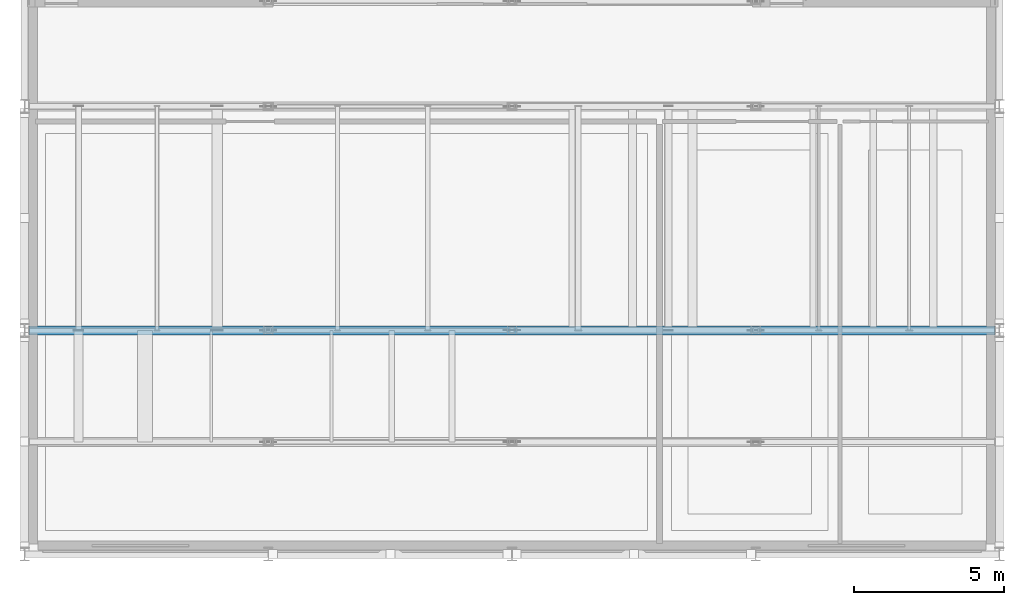
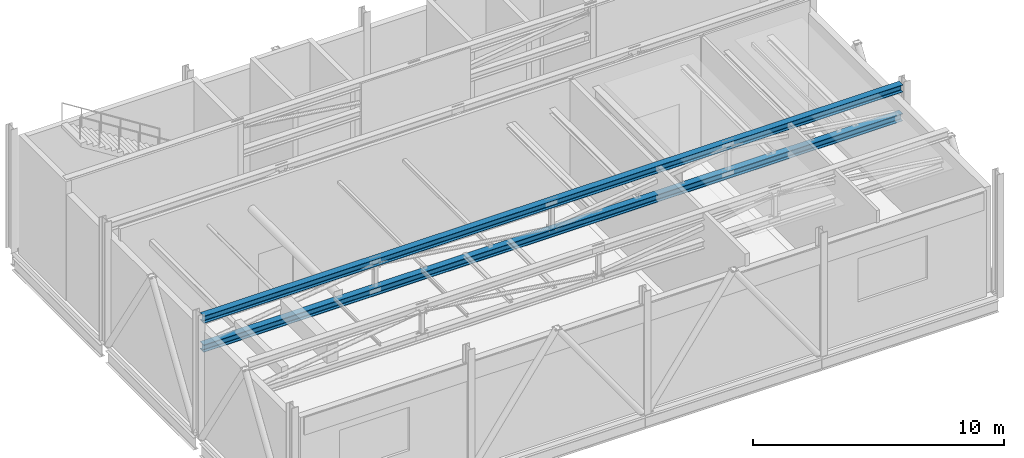
# One storey, part 5 of 21: 2 members.
"""IFC4 building model written with IfcOpenShell, lengths in metres."""

from ifc_helpers import new_model, si_unit, direction, frame, origin, origin_2d, place, context, subcontext, project, spatial, i_section, extrude, material, material_profile, profile_set, type_object, element, save


model = new_model("IFC4")

# Units and contexts
model_context = context("Model", 3, precision=1e-05, world=origin(), true_north=direction((0.0, 1.0)))
body_context = subcontext(model_context, "Body", "Model", "MODEL_VIEW")
ifc_project = project(units=[si_unit("LENGTHUNIT", "METRE"), si_unit("AREAUNIT", "SQUARE_METRE"), si_unit("VOLUMEUNIT", "CUBIC_METRE"), si_unit("PLANEANGLEUNIT", "RADIAN"), si_unit("MASSUNIT", "GRAM", prefix="KILO")], contexts=[model_context])

# Site, building, storey
site_placement = place(None, origin())
site = spatial("IfcSite", under=ifc_project, at=site_placement, CompositionType="ELEMENT")
building_placement = place(site_placement, origin())
building = spatial("IfcBuilding", under=site, at=building_placement, Name="Kaelora Sail Theatre", CompositionType="ELEMENT")
storey_placement = place(building_placement, frame((0.0, 0.0, 27.60009765625)))
storey = spatial("IfcBuildingStorey", under=building, at=storey_placement, Name="L06", CompositionType="ELEMENT", Elevation=27.60009765625)

# Members
ifc_material_1 = material(Name="Steel S355", Category="steel")
ifc_material_profile_1 = material_profile(ifc_material_1, i_section(OverallWidth=0.300048828125, OverallDepth=0.35009765625, WebThickness=0.010009765625, FlangeThickness=0.017578125, FilletRadius=0.027099609375, at=origin_2d()), Name="HEA 360")
ifc_profile_set_1 = profile_set([ifc_material_profile_1], Name="Steel S355")
member_type_1 = type_object("IfcMemberType", Name="STR-MEM-CH-HEA360", PredefinedType="CHORD", material=ifc_profile_set_1)
member_1_placement = place(storey_placement, frame((25.949951171875, 68.4599609375, 5.64990234375), z_axis=(1.0, 0.0, 0.0), x_axis=(0.0, 1.0, 0.0)))
element("IfcMember", 1, at=member_1_placement, inside=storey, type_object=member_type_1, Name="Fly Tower truss 2 top chord", PredefinedType="CHORD", context=body_context, shape_type="SweptSolid", body=[
    extrude(i_section(OverallWidth=0.300048828125, OverallDepth=0.35009765625, WebThickness=0.010009765625, FlangeThickness=0.017578125, FilletRadius=0.027099609375, at=origin_2d()), origin(), (0.0, 0.0, 1.0), 32.10009765625),
])
ifc_material_2 = material(Name="Steel S355", Category="steel")
ifc_material_profile_2 = material_profile(ifc_material_2, i_section(OverallWidth=0.300048828125, OverallDepth=0.360107421875, WebThickness=0.012451171875, FlangeThickness=0.0224609375, FilletRadius=0.027099609375, at=origin_2d()), Name="HEB 360")
ifc_profile_set_2 = profile_set([ifc_material_profile_2], Name="Steel S355")
member_type_2 = type_object("IfcMemberType", Name="STR-MEM-CH-HEB360", PredefinedType="CHORD", material=ifc_profile_set_2)
member_2_placement = place(storey_placement, frame((25.949951171875, 68.4599609375, 4.25), z_axis=(1.0, 0.0, 0.0), x_axis=(0.0, 1.0, 0.0)))
element("IfcMember", 2, at=member_2_placement, inside=storey, type_object=member_type_2, Name="Fly Tower truss 2 bottom chord", PredefinedType="CHORD", context=body_context, shape_type="SweptSolid", body=[
    extrude(i_section(OverallWidth=0.300048828125, OverallDepth=0.360107421875, WebThickness=0.012451171875, FlangeThickness=0.0224609375, FilletRadius=0.027099609375, at=origin_2d()), origin(), (0.0, 0.0, 1.0), 32.10009765625),
])

save(model, "model.ifc")
